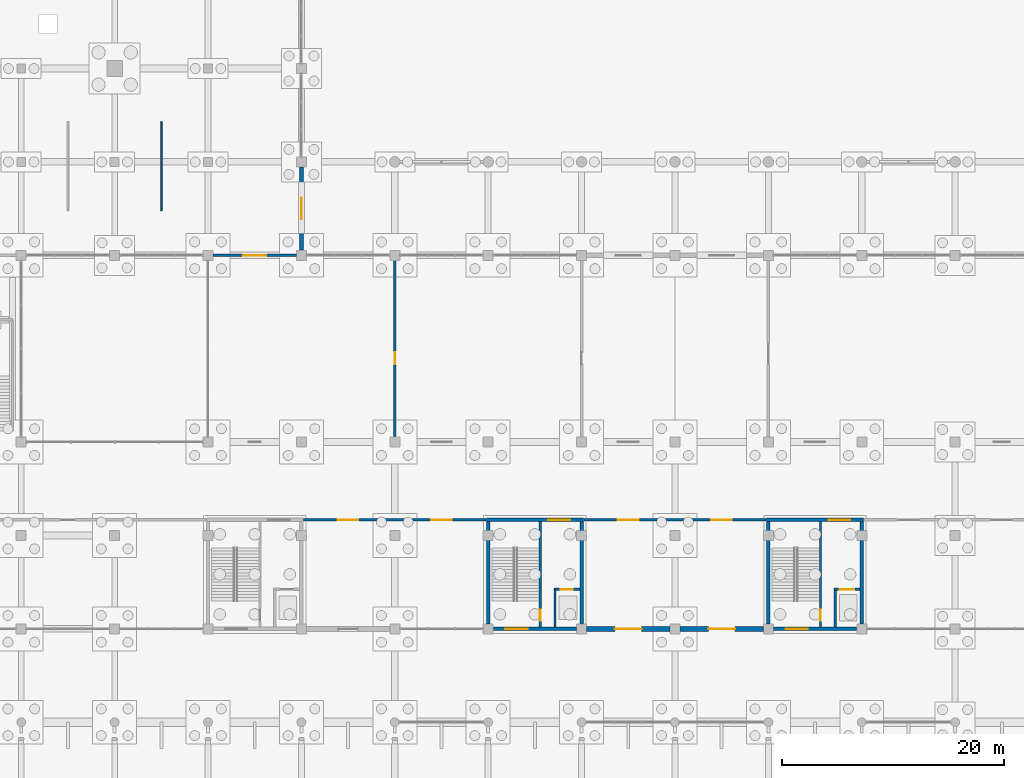
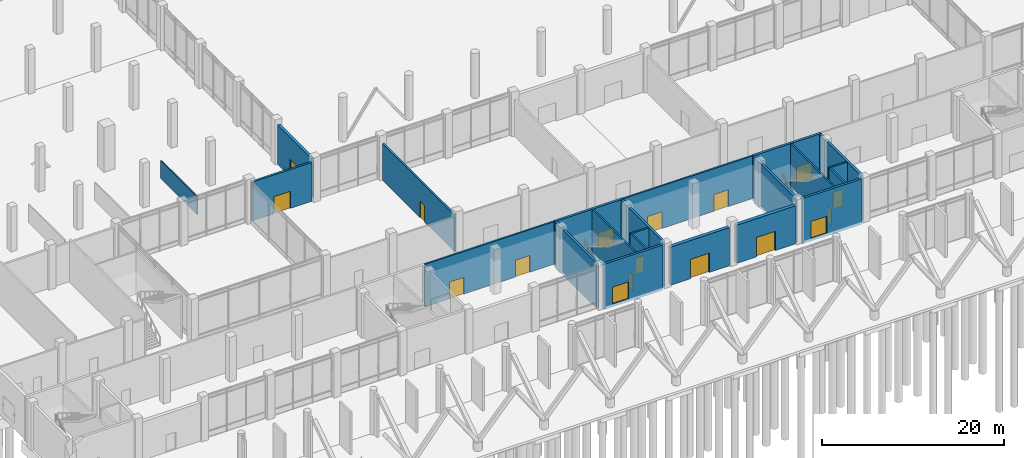
# One storey, part 53 of 72: 22 walls, 17 doors, 17 openings.
"""IFC4 building model written with IfcOpenShell, lengths in metres."""

import ifcopenshell
import ifcopenshell.guid

model = None  # the IFC model being written
_history = None  # IfcOwnerHistory: only IFC2X3 demands one
_inside = {}  # id of a spatial element -> (the spatial element, [elements in it])
_under = {}  # id of a project, library or spatial element -> (it, [spatial elements below it])
_declared = {}  # id of a project -> (the project, [libraries it declares])
_typed = {}  # id of a type object -> (the type object, [elements of that type])
_made_of = {}  # id of a material, layer set ... -> (it, [elements and type objects made of it])


def new_model(schema):
    """Start an empty IFC model of exactly this schema.

    Asked for "IFC4X3", IfcOpenShell would pick the latest addendum, in which some entities
    have other attributes; the version numbers below select the first issue.
    IFC2X3 requires an IfcOwnerHistory on every rooted entity: one is made here for all.
    """
    global model, _history
    if schema == "IFC4X3":
        model = ifcopenshell.file(schema_version=(4, 3, 0, 0))
    else:
        model = ifcopenshell.file(schema=schema)
    _inside.clear()
    _under.clear()
    _declared.clear()
    _typed.clear()
    _made_of.clear()
    _history = None
    if model.schema == "IFC2X3":
        org = make("IfcOrganization", Name="unknown")
        user = make(
            "IfcPersonAndOrganization",
            ThePerson=make("IfcPerson", FamilyName="unknown"),
            TheOrganization=org,
        )
        app = make(
            "IfcApplication",
            ApplicationDeveloper=org,
            Version="unknown",
            ApplicationFullName="unknown",
            ApplicationIdentifier="unknown",
        )
        _history = make(
            "IfcOwnerHistory",
            OwningUser=user,
            OwningApplication=app,
            ChangeAction="ADDED",
            CreationDate=0,
        )
    return model


def make(cls, **values):
    """One entity of the class cls with the attributes given. An attribute that is None is left unset."""
    return model.create_entity(
        cls, **{name: value for name, value in values.items() if value is not None}
    )


def rooted(cls, **values):
    """An entity with a GlobalId (a new one), such as an element, a storey or a relation."""
    return make(cls, GlobalId=ifcopenshell.guid.new(), OwnerHistory=_history, **values)


def si_unit(unit_type, name, prefix=None):
    """IfcSIUnit, for example si_unit("LENGTHUNIT", "METRE", prefix="MILLI")."""
    return make("IfcSIUnit", UnitType=unit_type, Prefix=prefix, Name=name)


def assignment(units):
    """IfcUnitAssignment: the units of a project."""
    return None if units is None else make("IfcUnitAssignment", Units=units)


def point(xyz):
    """IfcCartesianPoint."""
    return None if xyz is None else make("IfcCartesianPoint", Coordinates=xyz)


def direction(xyz):
    """IfcDirection."""
    return None if xyz is None else make("IfcDirection", DirectionRatios=xyz)


def frame(location, z_axis=None, x_axis=None):
    """IfcAxis2Placement3D, a coordinate frame: its origin and axes. An axis left out is left unset."""
    return make(
        "IfcAxis2Placement3D",
        Location=point(location),
        Axis=direction(z_axis),
        RefDirection=direction(x_axis),
    )


def frame_2d(location, x_axis=None):
    """IfcAxis2Placement2D, a coordinate frame in the plane: its origin and x axis."""
    return make(
        "IfcAxis2Placement2D", Location=point(location), RefDirection=direction(x_axis)
    )


def origin():
    """The frame at (0, 0, 0) with its axes left unset."""
    return frame((0.0, 0.0, 0.0))


def place(relative_to, where):
    """IfcLocalPlacement: puts the frame where relative to a parent placement (None: the world)."""
    return make(
        "IfcLocalPlacement", PlacementRelTo=relative_to, RelativePlacement=where
    )


def context(
    kind, dimensions, precision=None, world=None, true_north=None, identifier=None
):
    """IfcGeometricRepresentationContext, for example the 3D "Model" context."""
    return make(
        "IfcGeometricRepresentationContext",
        ContextIdentifier=identifier,
        ContextType=kind,
        CoordinateSpaceDimension=dimensions,
        Precision=precision,
        WorldCoordinateSystem=world,
        TrueNorth=true_north,
    )


def subcontext(parent, identifier, kind, view, scale=None):
    """IfcGeometricRepresentationSubContext, for example "Body" below "Model"."""
    return make(
        "IfcGeometricRepresentationSubContext",
        ContextIdentifier=identifier,
        ContextType=kind,
        ParentContext=parent,
        TargetScale=scale,
        TargetView=view,
    )


def project(units=None, contexts=None):
    """IfcProject with its units and contexts."""
    return rooted(
        "IfcProject",
        Name="project",
        RepresentationContexts=contexts,
        UnitsInContext=assignment(units),
    )


def spatial(cls, under=None, at=None, **own):
    """A site, building, storey or space (cls), placed at a placement, below another one or the project."""
    s = rooted(cls, ObjectPlacement=at, **own)
    if under is not None:
        _under.setdefault(under.id(), (under, []))[1].append(s)
    return s


def profile(cls, at=None, kind="AREA", **sizes):
    """A parametric profile (cls). Its sizes go by their IFC names, for example OverallWidth=200.0."""
    return make(cls, ProfileType=kind, Position=at, **sizes)


def rectangle(**sizes):
    """IfcRectangleProfileDef."""
    return profile("IfcRectangleProfileDef", **sizes)


def extrude(swept, where, along, depth):
    """IfcExtrudedAreaSolid: the profile swept, set in the frame where, extruded along a direction by depth."""
    return make(
        "IfcExtrudedAreaSolid",
        SweptArea=swept,
        Position=where,
        ExtrudedDirection=direction(along),
        Depth=depth,
    )


def shape(context_of_items, identifier, shape_type, items):
    """IfcShapeRepresentation: the items that make up one representation, for example the "Body"."""
    return make(
        "IfcShapeRepresentation",
        ContextOfItems=context_of_items,
        RepresentationIdentifier=identifier,
        RepresentationType=shape_type,
        Items=items,
    )


def material(Name=None, Category=None):
    """IfcMaterial."""
    return make("IfcMaterial", Name=Name, Category=Category)


def layer(
    of_material, thickness, ventilated=None, Name=None, Category=None, Priority=None
):
    """IfcMaterialLayer: one layer of a wall or slab, of a material (None: an air gap)."""
    return make(
        "IfcMaterialLayer",
        Material=of_material,
        LayerThickness=thickness,
        IsVentilated=ventilated,
        Name=Name,
        Category=Category,
        Priority=Priority,
    )


def layer_set(layers, Name=None):
    """IfcMaterialLayerSet."""
    return make("IfcMaterialLayerSet", MaterialLayers=layers, LayerSetName=Name)


def made_of(thing, what):
    """Note that an element or type object is made of a material, layer set ...; save() writes the relation."""
    if what is not None:
        _made_of.setdefault(what.id(), (what, []))[1].append(thing)
    return thing


def type_object(cls, material=None, **own):
    """A type object (cls), such as IfcWallType, which elements share."""
    return made_of(rooted(cls, **own), material)


def element(
    cls,
    number,
    at=None,
    inside=None,
    cuts=None,
    type_object=None,
    material=None,
    context=None,
    identifier="Body",
    shape_type=None,
    held_by="IfcProductDefinitionShape",
    body=None,
    shapes=None,
    **own,
):
    """One element of the class cls, such as IfcWall. Its Tag is "e" and its number.

    at: its placement. inside: the storey or other place that contains it. cuts: it is an
    opening in that element (IfcRelVoidsElement). A single representation is given by context,
    identifier, shape_type and body (its items); several are given by shapes. held_by: the class
    of the entity that holds the representations. save() writes the other relations.
    """
    e = rooted(cls, Tag="e%d" % number, ObjectPlacement=at, **own)
    if body is not None:
        shapes = [shape(context, identifier, shape_type, body)]
    if shapes is not None:
        e.Representation = make(held_by, Representations=shapes)
    if inside is not None:
        _inside.setdefault(inside.id(), (inside, []))[1].append(e)
    if cuts is not None:
        rooted(
            "IfcRelVoidsElement", RelatingBuildingElement=cuts, RelatedOpeningElement=e
        )
    if type_object is not None:
        _typed.setdefault(type_object.id(), (type_object, []))[1].append(e)
    return made_of(e, material)


def fill(opening, filler):
    """IfcRelFillsElement: the door or window that sits in an opening."""
    return rooted(
        "IfcRelFillsElement",
        RelatingOpeningElement=opening,
        RelatedBuildingElement=filler,
    )


def aggregate(whole, parts):
    """IfcRelAggregates: a whole, such as a stair, and the parts it consists of."""
    return rooted("IfcRelAggregates", RelatingObject=whole, RelatedObjects=parts)


def save(model, path):
    """Write the relations noted so far, then the file.

    IfcRelAggregates (storeys below a building ...), IfcRelContainedInSpatialStructure (elements
    in a storey), IfcRelDefinesByType, IfcRelAssociatesMaterial and IfcRelDeclares: one each for
    every whole, place, type object, material and project.
    """
    for whole, parts in _under.values():
        aggregate(whole, parts)
    for where, things in _inside.values():
        rooted(
            "IfcRelContainedInSpatialStructure",
            RelatedElements=things,
            RelatingStructure=where,
        )
    for kind, things in _typed.values():
        rooted("IfcRelDefinesByType", RelatedObjects=things, RelatingType=kind)
    for what, things in _made_of.values():
        rooted("IfcRelAssociatesMaterial", RelatedObjects=things, RelatingMaterial=what)
    for by, libraries in _declared.values():
        rooted("IfcRelDeclares", RelatingContext=by, RelatedDefinitions=libraries)
    model.write(path)


model = new_model("IFC4")

# Units and contexts
model_context = context("Model", 3, precision=1e-05, world=origin(), true_north=direction((0.0, 1.0)))
body_context = subcontext(model_context, "Body", "Model", "MODEL_VIEW")
ifc_project = project(units=[si_unit("LENGTHUNIT", "METRE"), si_unit("AREAUNIT", "SQUARE_METRE"), si_unit("VOLUMEUNIT", "CUBIC_METRE"), si_unit("PLANEANGLEUNIT", "RADIAN"), si_unit("MASSUNIT", "GRAM", prefix="KILO")], contexts=[model_context])

# Site, building, storey
site_placement = place(None, origin())
site = spatial("IfcSite", under=ifc_project, at=site_placement, CompositionType="ELEMENT")
building_placement = place(site_placement, origin())
building = spatial("IfcBuilding", under=site, at=building_placement, Name="Qawsi Khor Wholesale Market", CompositionType="ELEMENT")
storey_placement = place(building_placement, origin())
storey = spatial("IfcBuildingStorey", under=building, at=storey_placement, Name="L00", CompositionType="ELEMENT", Elevation=0.0)

# Wall, opening, door
ifc_material_1 = material(Name="Concrete C40/50", Category="concrete")
ifc_layer_1 = layer(ifc_material_1, 0.300048828125, Name="Concrete C40/50")
ifc_layer_set_1 = layer_set([ifc_layer_1], Name="Concrete C40/50")
wall_type_1 = type_object("IfcWallType", Name="Core Shear Wall RC 300 C40/50", PredefinedType="SHEAR", material=ifc_layer_set_1)
wall_1_placement = place(storey_placement, frame((100.344970703125, 8.39990234375, -0.360107421875), z_axis=(0.0, 0.0, 1.0), x_axis=(-1.0, 0.0, 0.0)))
wall_1 = element("IfcWall", 1, at=wall_1_placement, inside=storey, type_object=wall_type_1, Name="Core C03 south shear wall L00", PredefinedType="SHEAR", context=body_context, shape_type="SweptSolid", body=[
    extrude(rectangle(XDim=7.489990234375, YDim=0.300048828125, at=frame_2d((3.7451171875, 0.0))), origin(), (0.0, 0.0, 1.0), 6.080078125),
])
opening_1_placement = place(wall_1_placement, frame((4.39501953125, 0.0, 0.360107421875)))
opening_1 = element("IfcOpeningElement", 2, at=opening_1_placement, cuts=wall_1, Name="Opening ED-06", PredefinedType="OPENING", context=body_context, shape_type="SweptSolid", body=[
    extrude(rectangle(XDim=2.0, YDim=2.280029296875, at=frame_2d((1.0, 1.14013671875))), frame((0.0, 0.159912109375, 0.0), z_axis=(0.0, -1.0, 0.0), x_axis=(1.0, 0.0, 0.0)), (0.0, 0.0, 1.0), 0.320068359375),
])
ifc_material_2 = material(Name="Powder-Coated Galvanised Steel & Glazing", Category="steel")
door_type_1 = type_object("IfcDoorType", Name="Final Exit Stair Discharge Door 2000x2280 FD120S", OperationType="NOTDEFINED", PredefinedType="DOOR", material=ifc_material_2)
door_1_placement = place(opening_1_placement, origin())
door_1 = element("IfcDoor", 3, at=door_1_placement, inside=storey, type_object=door_type_1, Name="Final exit stair discharge door ST-03", OperationType="DOUBLE_DOOR_SINGLE_SWING", OverallHeight=2.280029296875, OverallWidth=2.0, PredefinedType="DOOR", context=body_context, shape_type="SweptSolid", body=[
    extrude(rectangle(XDim=2.0, YDim=2.280029296875, at=frame_2d((1.0, 1.14013671875))), frame((0.0, 0.02490234375, 0.0), z_axis=(0.0, -1.0, 0.0), x_axis=(1.0, 0.0, 0.0)), (0.0, 0.0, 1.0), 0.050048828125),
])
fill(opening_1, door_1)

# Wall
wall_2_placement = place(storey_placement, frame((92.39990234375, 8.85498046875, -0.360107421875), z_axis=(0.0, 0.0, 1.0), x_axis=(0.0, 1.0, 0.0)))
element("IfcWall", 4, at=wall_2_placement, inside=storey, type_object=wall_type_1, Name="Core C03 west shear wall L00", PredefinedType="SHEAR", context=body_context, shape_type="SweptSolid", body=[
    extrude(rectangle(XDim=9.195068359375, YDim=0.300048828125, at=frame_2d((4.59765625, 0.0))), origin(), (0.0, 0.0, 1.0), 6.080078125),
])

# Wall, opening, door
wall_3_placement = place(storey_placement, frame((92.25, 18.199951171875, -0.360107421875), z_axis=(0.0, 0.0, 1.0), x_axis=(1.0, 0.0, 0.0)))
wall_3 = element("IfcWall", 5, at=wall_3_placement, inside=storey, type_object=wall_type_1, Name="Core C03 north shear wall L00", PredefinedType="SHEAR", context=body_context, shape_type="SweptSolid", body=[
    extrude(rectangle(XDim=8.699951171875, YDim=0.300048828125, at=frame_2d((4.35009765625, 0.0))), origin(), (0.0, 0.0, 1.0), 6.080078125),
])
opening_2_placement = place(wall_3_placement, frame((5.570068359375, 0.0, 0.360107421875)))
opening_2 = element("IfcOpeningElement", 6, at=opening_2_placement, cuts=wall_3, Name="Opening ID-01", PredefinedType="OPENING", context=body_context, shape_type="SweptSolid", body=[
    extrude(rectangle(XDim=1.9599609375, YDim=2.199951171875, at=frame_2d((0.97998046875, 1.10009765625))), frame((0.0, 0.159912109375, 0.0), z_axis=(0.0, -1.0, 0.0), x_axis=(1.0, 0.0, 0.0)), (0.0, 0.0, 1.0), 0.320068359375),
])
ifc_material_3 = material(Name="Steel Fire Door", Category="steel")
door_type_2 = type_object("IfcDoorType", Name="Stair & Core Fire Door 1960x2200 FD90S", OperationType="NOTDEFINED", PredefinedType="DOOR", material=ifc_material_3)
door_2_placement = place(opening_2_placement, origin())
door_2 = element("IfcDoor", 7, at=door_2_placement, inside=storey, type_object=door_type_2, Name="Core C03 fire door L00", OperationType="DOUBLE_DOOR_SINGLE_SWING", OverallHeight=2.199951171875, OverallWidth=1.9599609375, PredefinedType="DOOR", context=body_context, shape_type="SweptSolid", body=[
    extrude(rectangle(XDim=1.9599609375, YDim=2.199951171875, at=frame_2d((0.97998046875, 1.10009765625))), frame((0.0, 0.02490234375, 0.0), z_axis=(0.0, -1.0, 0.0), x_axis=(1.0, 0.0, 0.0)), (0.0, 0.0, 1.0), 0.050048828125),
])
fill(opening_2, door_2)

# Wall
wall_4_placement = place(storey_placement, frame((100.800048828125, 18.050048828125, -0.360107421875), z_axis=(0.0, 0.0, 1.0), x_axis=(0.0, -1.0, 0.0)))
element("IfcWall", 8, at=wall_4_placement, inside=storey, type_object=wall_type_1, Name="Core C03 east shear wall L00", PredefinedType="SHEAR", context=body_context, shape_type="SweptSolid", body=[
    extrude(rectangle(XDim=9.195068359375, YDim=0.300048828125, at=frame_2d((4.59765625, 0.0))), origin(), (0.0, 0.0, 1.0), 6.080078125),
])

# Wall, opening, door
wall_5_placement = place(storey_placement, frame((125.544921875, 8.39990234375, -0.360107421875), z_axis=(0.0, 0.0, 1.0), x_axis=(-1.0, 0.0, 0.0)))
wall_5 = element("IfcWall", 9, at=wall_5_placement, inside=storey, type_object=wall_type_1, Name="Core C04 south shear wall L00", PredefinedType="SHEAR", context=body_context, shape_type="SweptSolid", body=[
    extrude(rectangle(XDim=7.489990234375, YDim=0.300048828125, at=frame_2d((3.7451171875, 0.0))), origin(), (0.0, 0.0, 1.0), 6.080078125),
])
opening_3_placement = place(wall_5_placement, frame((4.39501953125, 0.0, 0.360107421875)))
opening_3 = element("IfcOpeningElement", 10, at=opening_3_placement, cuts=wall_5, Name="Opening ED-06", PredefinedType="OPENING", context=body_context, shape_type="SweptSolid", body=[
    extrude(rectangle(XDim=2.0, YDim=2.280029296875, at=frame_2d((1.0, 1.14013671875))), frame((0.0, 0.159912109375, 0.0), z_axis=(0.0, -1.0, 0.0), x_axis=(1.0, 0.0, 0.0)), (0.0, 0.0, 1.0), 0.320068359375),
])
door_3_placement = place(opening_3_placement, origin())
door_3 = element("IfcDoor", 11, at=door_3_placement, inside=storey, type_object=door_type_1, Name="Final exit stair discharge door ST-04", OperationType="DOUBLE_DOOR_SINGLE_SWING", OverallHeight=2.280029296875, OverallWidth=2.0, PredefinedType="DOOR", context=body_context, shape_type="SweptSolid", body=[
    extrude(rectangle(XDim=2.0, YDim=2.280029296875, at=frame_2d((1.0, 1.14013671875))), frame((0.0, 0.02490234375, 0.0), z_axis=(0.0, -1.0, 0.0), x_axis=(1.0, 0.0, 0.0)), (0.0, 0.0, 1.0), 0.050048828125),
])
fill(opening_3, door_3)

# Wall
wall_6_placement = place(storey_placement, frame((117.60009765625, 8.85498046875, -0.360107421875), z_axis=(0.0, 0.0, 1.0), x_axis=(0.0, 1.0, 0.0)))
element("IfcWall", 12, at=wall_6_placement, inside=storey, type_object=wall_type_1, Name="Core C04 west shear wall L00", PredefinedType="SHEAR", context=body_context, shape_type="SweptSolid", body=[
    extrude(rectangle(XDim=9.195068359375, YDim=0.300048828125, at=frame_2d((4.59765625, 0.0))), origin(), (0.0, 0.0, 1.0), 6.080078125),
])

# Wall, opening, door
wall_7_placement = place(storey_placement, frame((117.449951171875, 18.199951171875, -0.360107421875), z_axis=(0.0, 0.0, 1.0), x_axis=(1.0, 0.0, 0.0)))
wall_7 = element("IfcWall", 13, at=wall_7_placement, inside=storey, type_object=wall_type_1, Name="Core C04 north shear wall L00", PredefinedType="SHEAR", context=body_context, shape_type="SweptSolid", body=[
    extrude(rectangle(XDim=8.699951171875, YDim=0.300048828125, at=frame_2d((4.35009765625, 0.0))), origin(), (0.0, 0.0, 1.0), 6.080078125),
])
opening_4_placement = place(wall_7_placement, frame((5.570068359375, 0.0, 0.360107421875)))
opening_4 = element("IfcOpeningElement", 14, at=opening_4_placement, cuts=wall_7, Name="Opening ID-01", PredefinedType="OPENING", context=body_context, shape_type="SweptSolid", body=[
    extrude(rectangle(XDim=1.9599609375, YDim=2.199951171875, at=frame_2d((0.97998046875, 1.10009765625))), frame((0.0, 0.159912109375, 0.0), z_axis=(0.0, -1.0, 0.0), x_axis=(1.0, 0.0, 0.0)), (0.0, 0.0, 1.0), 0.320068359375),
])
door_4_placement = place(opening_4_placement, origin())
door_4 = element("IfcDoor", 15, at=door_4_placement, inside=storey, type_object=door_type_2, Name="Core C04 fire door L00", OperationType="DOUBLE_DOOR_SINGLE_SWING", OverallHeight=2.199951171875, OverallWidth=1.9599609375, PredefinedType="DOOR", context=body_context, shape_type="SweptSolid", body=[
    extrude(rectangle(XDim=1.9599609375, YDim=2.199951171875, at=frame_2d((0.97998046875, 1.10009765625))), frame((0.0, 0.02490234375, 0.0), z_axis=(0.0, -1.0, 0.0), x_axis=(1.0, 0.0, 0.0)), (0.0, 0.0, 1.0), 0.050048828125),
])
fill(opening_4, door_4)

# Wall
wall_8_placement = place(storey_placement, frame((126.0, 18.050048828125, -0.360107421875), z_axis=(0.0, 0.0, 1.0), x_axis=(0.0, -1.0, 0.0)))
element("IfcWall", 16, at=wall_8_placement, inside=storey, type_object=wall_type_1, Name="Core C04 east shear wall L00", PredefinedType="SHEAR", context=body_context, shape_type="SweptSolid", body=[
    extrude(rectangle(XDim=9.195068359375, YDim=0.300048828125, at=frame_2d((4.59765625, 0.0))), origin(), (0.0, 0.0, 1.0), 6.080078125),
])

# Wall, openings, doors
ifc_material_4 = material(Name="Gypsum Fireboard on Steel Stud", Category="steel")
ifc_layer_2 = layer(ifc_material_4, 0.2099609375, Name="Gypsum Fireboard on Steel Stud")
ifc_layer_set_2 = layer_set([ifc_layer_2], Name="Gypsum Fireboard on Steel Stud")
wall_type_2 = type_object("IfcWallType", Name="Corridor Fire Partition Wall 210", PredefinedType="PARTITIONING", material=ifc_layer_set_2)
wall_9_placement = place(storey_placement, frame((75.800048828125, 18.199951171875, 0.0), z_axis=(0.0, 0.0, 1.0), x_axis=(1.0, 0.0, 0.0)))
wall_9 = element("IfcWall", 17, at=wall_9_placement, inside=storey, type_object=wall_type_2, Name="PW-L00-030", PredefinedType="PARTITIONING", context=body_context, shape_type="SweptSolid", body=[
    extrude(rectangle(XDim=16.39990234375, YDim=0.2099609375, at=frame_2d((8.199951171875, 0.0))), origin(), (0.0, 0.0, 1.0), 5.719970703125),
])
opening_5_placement = place(wall_9_placement, frame((3.074951171875, 0.0, 0.0)))
opening_5 = element("IfcOpeningElement", 18, at=opening_5_placement, cuts=wall_9, Name="Opening ID-09", PredefinedType="OPENING", context=body_context, shape_type="SweptSolid", body=[
    extrude(rectangle(XDim=1.85009765625, YDim=2.25, at=frame_2d((0.925048828125, 1.125))), frame((0.0, 0.114990234375, 0.0), z_axis=(0.0, -1.0, 0.0), x_axis=(1.0, 0.0, 0.0)), (0.0, 0.0, 1.0), 0.22998046875),
])
opening_6_placement = place(wall_9_placement, frame((11.47509765625, 0.0, 0.0)))
opening_6 = element("IfcOpeningElement", 19, at=opening_6_placement, cuts=wall_9, Name="Opening ID-09", PredefinedType="OPENING", context=body_context, shape_type="SweptSolid", body=[
    extrude(rectangle(XDim=1.85009765625, YDim=2.25, at=frame_2d((0.925048828125, 1.125))), frame((0.0, 0.114990234375, 0.0), z_axis=(0.0, -1.0, 0.0), x_axis=(1.0, 0.0, 0.0)), (0.0, 0.0, 1.0), 0.22998046875),
])
ifc_material_5 = material(Name="Glazed Hardwood", Category="wood")
door_type_3 = type_object("IfcDoorType", Name="Canteen Dining Double Door 1850x2250 FD60S", OperationType="NOTDEFINED", PredefinedType="DOOR", material=ifc_material_5)
door_5_placement = place(opening_5_placement, origin())
door_5 = element("IfcDoor", 20, at=door_5_placement, inside=storey, type_object=door_type_3, Name="Canteen Dining Double Door 1850x2250 FD60S L00-026", OperationType="DOUBLE_DOOR_SINGLE_SWING", OverallHeight=2.25, OverallWidth=1.85009765625, PredefinedType="DOOR", context=body_context, shape_type="SweptSolid", body=[
    extrude(rectangle(XDim=1.85009765625, YDim=2.25, at=frame_2d((0.925048828125, 1.125))), frame((0.0, 0.02490234375, 0.0), z_axis=(0.0, -1.0, 0.0), x_axis=(1.0, 0.0, 0.0)), (0.0, 0.0, 1.0), 0.050048828125),
])
fill(opening_5, door_5)
door_6_placement = place(opening_6_placement, origin())
door_6 = element("IfcDoor", 21, at=door_6_placement, inside=storey, type_object=door_type_3, Name="Canteen Dining Double Door 1850x2250 FD60S L00-027", OperationType="DOUBLE_DOOR_SINGLE_SWING", OverallHeight=2.25, OverallWidth=1.85009765625, PredefinedType="DOOR", context=body_context, shape_type="SweptSolid", body=[
    extrude(rectangle(XDim=1.85009765625, YDim=2.25, at=frame_2d((0.925048828125, 1.125))), frame((0.0, 0.02490234375, 0.0), z_axis=(0.0, -1.0, 0.0), x_axis=(1.0, 0.0, 0.0)), (0.0, 0.0, 1.0), 0.050048828125),
])
fill(opening_6, door_6)

wall_10_placement = place(storey_placement, frame((101.0, 18.199951171875, 0.0), z_axis=(0.0, 0.0, 1.0), x_axis=(1.0, 0.0, 0.0)))
wall_10 = element("IfcWall", 22, at=wall_10_placement, inside=storey, type_object=wall_type_2, Name="PW-L00-031", PredefinedType="PARTITIONING", context=body_context, shape_type="SweptSolid", body=[
    extrude(rectangle(XDim=16.39990234375, YDim=0.2099609375, at=frame_2d((8.199951171875, 0.0))), origin(), (0.0, 0.0, 1.0), 5.719970703125),
])
opening_7_placement = place(wall_10_placement, frame((3.074951171875, 0.0, 0.0)))
opening_7 = element("IfcOpeningElement", 23, at=opening_7_placement, cuts=wall_10, Name="Opening ID-09", PredefinedType="OPENING", context=body_context, shape_type="SweptSolid", body=[
    extrude(rectangle(XDim=1.85009765625, YDim=2.25, at=frame_2d((0.925048828125, 1.125))), frame((0.0, 0.114990234375, 0.0), z_axis=(0.0, -1.0, 0.0), x_axis=(1.0, 0.0, 0.0)), (0.0, 0.0, 1.0), 0.22998046875),
])
opening_8_placement = place(wall_10_placement, frame((11.47509765625, 0.0, 0.0)))
opening_8 = element("IfcOpeningElement", 24, at=opening_8_placement, cuts=wall_10, Name="Opening ID-09", PredefinedType="OPENING", context=body_context, shape_type="SweptSolid", body=[
    extrude(rectangle(XDim=1.85009765625, YDim=2.25, at=frame_2d((0.925048828125, 1.125))), frame((0.0, 0.114990234375, 0.0), z_axis=(0.0, -1.0, 0.0), x_axis=(1.0, 0.0, 0.0)), (0.0, 0.0, 1.0), 0.22998046875),
])
door_7_placement = place(opening_7_placement, origin())
door_7 = element("IfcDoor", 25, at=door_7_placement, inside=storey, type_object=door_type_3, Name="Canteen Dining Double Door 1850x2250 FD60S L00-028", OperationType="DOUBLE_DOOR_SINGLE_SWING", OverallHeight=2.25, OverallWidth=1.85009765625, PredefinedType="DOOR", context=body_context, shape_type="SweptSolid", body=[
    extrude(rectangle(XDim=1.85009765625, YDim=2.25, at=frame_2d((0.925048828125, 1.125))), frame((0.0, 0.02490234375, 0.0), z_axis=(0.0, -1.0, 0.0), x_axis=(1.0, 0.0, 0.0)), (0.0, 0.0, 1.0), 0.050048828125),
])
fill(opening_7, door_7)
door_8_placement = place(opening_8_placement, origin())
door_8 = element("IfcDoor", 26, at=door_8_placement, inside=storey, type_object=door_type_3, Name="Canteen Dining Double Door 1850x2250 FD60S L00-029", OperationType="DOUBLE_DOOR_SINGLE_SWING", OverallHeight=2.25, OverallWidth=1.85009765625, PredefinedType="DOOR", context=body_context, shape_type="SweptSolid", body=[
    extrude(rectangle(XDim=1.85009765625, YDim=2.25, at=frame_2d((0.925048828125, 1.125))), frame((0.0, 0.02490234375, 0.0), z_axis=(0.0, -1.0, 0.0), x_axis=(1.0, 0.0, 0.0)), (0.0, 0.0, 1.0), 0.050048828125),
])
fill(opening_8, door_8)

# Wall, opening, door
wall_11_placement = place(storey_placement, frame((84.0, 25.699951171875, 0.0), z_axis=(0.0, 0.0, 1.0), x_axis=(0.0, 1.0, 0.0)))
wall_11 = element("IfcWall", 27, at=wall_11_placement, inside=storey, type_object=wall_type_2, Name="PW-L00-039", PredefinedType="PARTITIONING", context=body_context, shape_type="SweptSolid", body=[
    extrude(rectangle(XDim=15.800048828125, YDim=0.2099609375, at=frame_2d((7.89990234375, 0.0))), origin(), (0.0, 0.0, 1.0), 4.929931640625),
])
opening_9_placement = place(wall_11_placement, frame((6.5, 0.0, 0.0)))
opening_9 = element("IfcOpeningElement", 28, at=opening_9_placement, cuts=wall_11, Name="Opening ID-07", PredefinedType="OPENING", context=body_context, shape_type="SweptSolid", body=[
    extrude(rectangle(XDim=1.06005859375, YDim=2.179931640625, at=frame_2d((0.530029296875, 1.08984375))), frame((0.0, 0.114990234375, 0.0), z_axis=(0.0, -1.0, 0.0), x_axis=(1.0, 0.0, 0.0)), (0.0, 0.0, 1.0), 0.22998046875),
])
ifc_material_6 = material(Name="Hardwood Timber Veneer", Category="wood")
door_type_4 = type_object("IfcDoorType", Name="Clearinghouse Suite Door 1060x2180", OperationType="NOTDEFINED", PredefinedType="DOOR", material=ifc_material_6)
door_9_placement = place(opening_9_placement, origin())
door_9 = element("IfcDoor", 29, at=door_9_placement, inside=storey, type_object=door_type_4, Name="Clearinghouse Suite Door 1060x2180 L00-045", OperationType="SINGLE_SWING_LEFT", OverallHeight=2.179931640625, OverallWidth=1.06005859375, PredefinedType="DOOR", context=body_context, shape_type="SweptSolid", body=[
    extrude(rectangle(XDim=1.06005859375, YDim=2.179931640625, at=frame_2d((0.530029296875, 1.08984375))), frame((0.0, 0.02490234375, 0.0), z_axis=(0.0, -1.0, 0.0), x_axis=(1.0, 0.0, 0.0)), (0.0, 0.0, 1.0), 0.050048828125),
])
fill(opening_9, door_9)

ifc_material_7 = material(Name="Concrete Blockwork & Plaster", Category="masonry")
ifc_layer_3 = layer(ifc_material_7, 0.25, Name="Concrete Blockwork & Plaster")
ifc_layer_set_3 = layer_set([ifc_layer_3], Name="Concrete Blockwork & Plaster")
wall_type_3 = type_object("IfcWallType", Name="Fire Compartment Masonry Wall 250", PredefinedType="SOLIDWALL", material=ifc_layer_set_3)
wall_12_placement = place(storey_placement, frame((67.64990234375, 42.0, 0.0), z_axis=(0.0, 0.0, 1.0), x_axis=(1.0, 0.0, 0.0)))
wall_12 = element("IfcWall", 30, at=wall_12_placement, inside=storey, type_object=wall_type_3, Name="Grid F fire compartment wall L00-08", PredefinedType="SOLIDWALL", context=body_context, shape_type="SweptSolid", body=[
    extrude(rectangle(XDim=7.5, YDim=0.25, at=frame_2d((3.75, 0.0))), origin(), (0.0, 0.0, 1.0), 5.219970703125),
])
opening_10_placement = place(wall_12_placement, frame((2.699951171875, 0.0, 0.0)))
opening_10 = element("IfcOpeningElement", 31, at=opening_10_placement, cuts=wall_12, Name="Opening ID-03", PredefinedType="OPENING", context=body_context, shape_type="SweptSolid", body=[
    extrude(rectangle(XDim=2.10009765625, YDim=2.300048828125, at=frame_2d((1.050048828125, 1.14990234375))), frame((0.0, 0.135009765625, 0.0), z_axis=(0.0, -1.0, 0.0), x_axis=(1.0, 0.0, 0.0)), (0.0, 0.0, 1.0), 0.27001953125),
])
ifc_material_8 = material(Name="Glazed Steel Fire Door", Category="steel")
door_type_5 = type_object("IfcDoorType", Name="Hall Concourse Double Door 2100x2300 FD60S", OperationType="NOTDEFINED", PredefinedType="DOOR", material=ifc_material_8)
door_10_placement = place(opening_10_placement, origin())
door_10 = element("IfcDoor", 32, at=door_10_placement, inside=storey, type_object=door_type_5, Name="Hall concourse compartment door L00-08", OperationType="DOUBLE_DOOR_SINGLE_SWING", OverallHeight=2.300048828125, OverallWidth=2.10009765625, PredefinedType="DOOR", context=body_context, shape_type="SweptSolid", body=[
    extrude(rectangle(XDim=2.10009765625, YDim=2.300048828125, at=frame_2d((1.050048828125, 1.14990234375))), frame((0.0, 0.02490234375, 0.0), z_axis=(0.0, -1.0, 0.0), x_axis=(1.0, 0.0, 0.0)), (0.0, 0.0, 1.0), 0.050048828125),
])
fill(opening_10, door_10)

# Wall
ifc_layer_4 = layer(ifc_material_1, 0.219970703125, Name="Concrete C40/50")
ifc_layer_set_4 = layer_set([ifc_layer_4], Name="Concrete C40/50")
wall_type_4 = type_object("IfcWallType", Name="Lift & Stair Shaft Wall RC 220", PredefinedType="SOLIDWALL", material=ifc_layer_set_4)
wall_13_placement = place(storey_placement, frame((98.409912109375, 8.56005859375, 0.0), z_axis=(0.0, 0.0, 1.0), x_axis=(0.0, 1.0, 0.0)))
element("IfcWall", 33, at=wall_13_placement, inside=storey, type_object=wall_type_4, Name="Lift PL-02 shaft wall W L00", PredefinedType="SOLIDWALL", context=body_context, shape_type="SweptSolid", body=[
    extrude(rectangle(XDim=3.389892578125, YDim=0.219970703125, at=frame_2d((1.69482421875, 0.0))), origin(), (0.0, 0.0, 1.0), 5.719970703125),
])

# Wall, opening, door
wall_14_placement = place(storey_placement, frame((98.300048828125, 11.949951171875, 0.0), z_axis=(0.0, 0.0, 1.0), x_axis=(1.0, 0.0, 0.0)))
wall_14 = element("IfcWall", 34, at=wall_14_placement, inside=storey, type_object=wall_type_4, Name="Lift PL-02 shaft wall N L00", PredefinedType="SOLIDWALL", context=body_context, shape_type="SweptSolid", body=[
    extrude(rectangle(XDim=2.33984375, YDim=0.219970703125, at=frame_2d((1.169921875, 0.0))), origin(), (0.0, 0.0, 1.0), 5.719970703125),
])
opening_11_placement = place(wall_14_placement, frame((0.6201171875, 0.0, 0.0)))
opening_11 = element("IfcOpeningElement", 35, at=opening_11_placement, cuts=wall_14, Name="Opening LD-P110", PredefinedType="OPENING", context=body_context, shape_type="SweptSolid", body=[
    extrude(rectangle(XDim=1.10009765625, YDim=2.199951171875, at=frame_2d((0.550048828125, 1.10009765625))), frame((0.0, 0.119873046875, 0.0), z_axis=(0.0, -1.0, 0.0), x_axis=(1.0, 0.0, 0.0)), (0.0, 0.0, 1.0), 0.239990234375),
])
ifc_material_9 = material(Name="Brushed Stainless Steel", Category="steel")
door_type_6 = type_object("IfcDoorType", Name="Passenger Lift Landing Sliding Door 1100x2200 FD90S", OperationType="NOTDEFINED", PredefinedType="DOOR", material=ifc_material_9)
door_11_placement = place(opening_11_placement, origin())
door_11 = element("IfcDoor", 36, at=door_11_placement, inside=storey, type_object=door_type_6, Name="Lift PL-02 landing door L00", OperationType="SLIDING_TO_LEFT", OverallHeight=2.199951171875, OverallWidth=1.10009765625, PredefinedType="DOOR", context=body_context, shape_type="SweptSolid", body=[
    extrude(rectangle(XDim=1.10009765625, YDim=2.199951171875, at=frame_2d((0.550048828125, 1.10009765625))), frame((0.0, 0.02490234375, 0.0), z_axis=(0.0, -1.0, 0.0), x_axis=(1.0, 0.0, 0.0)), (0.0, 0.0, 1.0), 0.050048828125),
])
fill(opening_11, door_11)

# Wall
wall_15_placement = place(storey_placement, frame((123.610107421875, 8.56005859375, 0.0), z_axis=(0.0, 0.0, 1.0), x_axis=(0.0, 1.0, 0.0)))
element("IfcWall", 37, at=wall_15_placement, inside=storey, type_object=wall_type_4, Name="Lift FF-02 shaft wall W L00", PredefinedType="SOLIDWALL", context=body_context, shape_type="SweptSolid", body=[
    extrude(rectangle(XDim=3.389892578125, YDim=0.219970703125, at=frame_2d((1.69482421875, 0.0))), origin(), (0.0, 0.0, 1.0), 5.719970703125),
])

# Wall, opening, door
wall_16_placement = place(storey_placement, frame((123.5, 11.949951171875, 0.0), z_axis=(0.0, 0.0, 1.0), x_axis=(1.0, 0.0, 0.0)))
wall_16 = element("IfcWall", 38, at=wall_16_placement, inside=storey, type_object=wall_type_4, Name="Lift FF-02 shaft wall N L00", PredefinedType="SOLIDWALL", context=body_context, shape_type="SweptSolid", body=[
    extrude(rectangle(XDim=2.340087890625, YDim=0.219970703125, at=frame_2d((1.169921875, 0.0))), origin(), (0.0, 0.0, 1.0), 5.719970703125),
])
opening_12_placement = place(wall_16_placement, frame((0.530029296875, 0.0, 0.0)))
opening_12 = element("IfcOpeningElement", 39, at=opening_12_placement, cuts=wall_16, Name="Opening LD-FF130", PredefinedType="OPENING", context=body_context, shape_type="SweptSolid", body=[
    extrude(rectangle(XDim=1.280029296875, YDim=2.25, at=frame_2d((0.64013671875, 1.125))), frame((0.0, 0.119873046875, 0.0), z_axis=(0.0, -1.0, 0.0), x_axis=(1.0, 0.0, 0.0)), (0.0, 0.0, 1.0), 0.239990234375),
])
door_type_7 = type_object("IfcDoorType", Name="Firefighting Lift Landing Sliding Door 1280x2250 FD90S", OperationType="NOTDEFINED", PredefinedType="DOOR", material=ifc_material_9)
door_12_placement = place(opening_12_placement, origin())
door_12 = element("IfcDoor", 40, at=door_12_placement, inside=storey, type_object=door_type_7, Name="Lift FF-02 landing door L00", OperationType="SLIDING_TO_LEFT", OverallHeight=2.25, OverallWidth=1.280029296875, PredefinedType="DOOR", context=body_context, shape_type="SweptSolid", body=[
    extrude(rectangle(XDim=1.280029296875, YDim=2.25, at=frame_2d((0.64013671875, 1.125))), frame((0.0, 0.02490234375, 0.0), z_axis=(0.0, -1.0, 0.0), x_axis=(1.0, 0.0, 0.0)), (0.0, 0.0, 1.0), 0.050048828125),
])
fill(opening_12, door_12)

# Wall
ifc_material_10 = material(Name="Precast Terrazzo Concrete C40/50", Category="concrete")
ifc_layer_5 = layer(ifc_material_10, 0.135009765625, Name="Precast Terrazzo Concrete C40/50")
ifc_layer_set_5 = layer_set([ifc_layer_5], Name="Precast Terrazzo Concrete C40/50")
wall_type_5 = type_object("IfcWallType", Name="Market Stall Low Divider Wall 135", PredefinedType="PARTITIONING", material=ifc_layer_set_5)
wall_17_placement = place(storey_placement, frame((63.0, 46.0, 0.0), z_axis=(0.0, 0.0, 1.0), x_axis=(0.0, 1.0, 0.0)))
element("IfcWall", 41, at=wall_17_placement, inside=storey, type_object=wall_type_5, Name="PW-L00-021", PredefinedType="PARTITIONING", context=body_context, shape_type="SweptSolid", body=[
    extrude(rectangle(XDim=8.0, YDim=0.135009765625, at=frame_2d((4.0, 0.0))), origin(), (0.0, 0.0, 1.0), 2.39990234375),
])

# Wall, opening, door
ifc_layer_6 = layer(ifc_material_1, 0.429931640625, Name="Concrete C40/50")
ifc_layer_set_6 = layer_set([ifc_layer_6], Name="Concrete C40/50")
wall_type_6 = type_object("IfcWallType", Name="Sculpted Ribbed Concrete Facade Wall 430", PredefinedType="SOLIDWALL", material=ifc_layer_set_6)
wall_18_placement = place(storey_placement, frame((108.7451171875, 8.39990234375, 0.0), z_axis=(0.0, 0.0, 1.0), x_axis=(-1.0, 0.0, 0.0)))
wall_18 = element("IfcWall", 42, at=wall_18_placement, inside=storey, type_object=wall_type_6, Name="EW-L00-ENTR-W", PredefinedType="SOLIDWALL", context=body_context, shape_type="SweptSolid", body=[
    extrude(rectangle(XDim=7.490234375, YDim=0.429931640625, at=frame_2d((3.7451171875, 0.0))), origin(), (0.0, 0.0, 1.0), 5.1298828125),
])
opening_13_placement = place(wall_18_placement, frame((2.544921875, 0.0, 0.0)))
opening_13 = element("IfcOpeningElement", 43, at=opening_13_placement, cuts=wall_18, Name="Opening ED-01", PredefinedType="OPENING", context=body_context, shape_type="SweptSolid", body=[
    extrude(rectangle(XDim=2.39990234375, YDim=2.60009765625, at=frame_2d((1.199951171875, 1.300048828125))), frame((0.0, 0.224853515625, 0.0), z_axis=(0.0, -1.0, 0.0), x_axis=(1.0, 0.0, 0.0)), (0.0, 0.0, 1.0), 0.449951171875),
])
door_type_8 = type_object("IfcDoorType", Name="Main Boulevard Entrance Double Door 2400x2600", OperationType="NOTDEFINED", PredefinedType="DOOR", material=ifc_material_2)
door_13_placement = place(opening_13_placement, origin())
door_13 = element("IfcDoor", 44, at=door_13_placement, inside=storey, type_object=door_type_8, Name="Boulevard Main Entrance Door West", OperationType="DOUBLE_DOOR_SINGLE_SWING", OverallHeight=2.60009765625, OverallWidth=2.39990234375, PredefinedType="DOOR", context=body_context, shape_type="SweptSolid", body=[
    extrude(rectangle(XDim=2.39990234375, YDim=2.60009765625, at=frame_2d((1.199951171875, 1.300048828125))), frame((0.0, 0.02490234375, 0.0), z_axis=(0.0, -1.0, 0.0), x_axis=(1.0, 0.0, 0.0)), (0.0, 0.0, 1.0), 0.050048828125),
])
fill(opening_13, door_13)

wall_19_placement = place(storey_placement, frame((117.14501953125, 8.39990234375, 0.0), z_axis=(0.0, 0.0, 1.0), x_axis=(-1.0, 0.0, 0.0)))
wall_19 = element("IfcWall", 45, at=wall_19_placement, inside=storey, type_object=wall_type_6, Name="EW-L00-ENTR-E", PredefinedType="SOLIDWALL", context=body_context, shape_type="SweptSolid", body=[
    extrude(rectangle(XDim=7.489990234375, YDim=0.429931640625, at=frame_2d((3.7451171875, 0.0))), origin(), (0.0, 0.0, 1.0), 5.1298828125),
])
opening_14_placement = place(wall_19_placement, frame((2.544921875, 0.0, 0.0)))
opening_14 = element("IfcOpeningElement", 46, at=opening_14_placement, cuts=wall_19, Name="Opening ED-01", PredefinedType="OPENING", context=body_context, shape_type="SweptSolid", body=[
    extrude(rectangle(XDim=2.39990234375, YDim=2.60009765625, at=frame_2d((1.199951171875, 1.300048828125))), frame((0.0, 0.224853515625, 0.0), z_axis=(0.0, -1.0, 0.0), x_axis=(1.0, 0.0, 0.0)), (0.0, 0.0, 1.0), 0.449951171875),
])
door_14_placement = place(opening_14_placement, origin())
door_14 = element("IfcDoor", 47, at=door_14_placement, inside=storey, type_object=door_type_8, Name="Boulevard Main Entrance Door East", OperationType="DOUBLE_DOOR_SINGLE_SWING", OverallHeight=2.60009765625, OverallWidth=2.39990234375, PredefinedType="DOOR", context=body_context, shape_type="SweptSolid", body=[
    extrude(rectangle(XDim=2.39990234375, YDim=2.60009765625, at=frame_2d((1.199951171875, 1.300048828125))), frame((0.0, 0.02490234375, 0.0), z_axis=(0.0, -1.0, 0.0), x_axis=(1.0, 0.0, 0.0)), (0.0, 0.0, 1.0), 0.050048828125),
])
fill(opening_14, door_14)

ifc_layer_7 = layer(ifc_material_1, 0.18994140625, Name="Concrete C40/50")
ifc_layer_set_7 = layer_set([ifc_layer_7], Name="Concrete C40/50")
wall_type_7 = type_object("IfcWallType", Name="Stairwell Enclosure Wall RC 190", PredefinedType="SOLIDWALL", material=ifc_layer_set_7)
wall_20_placement = place(storey_placement, frame((97.080078125, 8.56005859375, -0.360107421875), z_axis=(0.0, 0.0, 1.0), x_axis=(0.0, 1.0, 0.0)))
wall_20 = element("IfcWall", 48, at=wall_20_placement, inside=storey, type_object=wall_type_7, Name="Core C03 stairwell enclosure wall L00", PredefinedType="SOLIDWALL", context=body_context, shape_type="SweptSolid", body=[
    extrude(rectangle(XDim=9.47998046875, YDim=0.18994140625, at=frame_2d((4.739990234375, 0.0))), origin(), (0.0, 0.0, 1.0), 6.080078125),
])
opening_15_placement = place(wall_20_placement, frame((0.580078125, 0.0, 0.360107421875)))
opening_15 = element("IfcOpeningElement", 49, at=opening_15_placement, cuts=wall_20, Name="Opening ID-17", PredefinedType="OPENING", context=body_context, shape_type="SweptSolid", body=[
    extrude(rectangle(XDim=0.97998046875, YDim=2.14990234375, at=frame_2d((0.489990234375, 1.074951171875))), frame((0.0, 0.10498046875, 0.0), z_axis=(0.0, -1.0, 0.0), x_axis=(1.0, 0.0, 0.0)), (0.0, 0.0, 1.0), 0.2099609375),
])
door_type_9 = type_object("IfcDoorType", Name="Core Stair Lobby Fire Door 980x2150 FD120S", OperationType="NOTDEFINED", PredefinedType="DOOR", material=ifc_material_3)
door_15_placement = place(opening_15_placement, origin())
door_15 = element("IfcDoor", 50, at=door_15_placement, inside=storey, type_object=door_type_9, Name="Core C03 stair enclosure fire door L00", OperationType="SINGLE_SWING_LEFT", OverallHeight=2.14990234375, OverallWidth=0.97998046875, PredefinedType="DOOR", context=body_context, shape_type="SweptSolid", body=[
    extrude(rectangle(XDim=0.97998046875, YDim=2.14990234375, at=frame_2d((0.489990234375, 1.074951171875))), frame((0.0, 0.02490234375, 0.0), z_axis=(0.0, -1.0, 0.0), x_axis=(1.0, 0.0, 0.0)), (0.0, 0.0, 1.0), 0.050048828125),
])
fill(opening_15, door_15)

wall_21_placement = place(storey_placement, frame((122.280029296875, 8.56005859375, -0.360107421875), z_axis=(0.0, 0.0, 1.0), x_axis=(0.0, 1.0, 0.0)))
wall_21 = element("IfcWall", 51, at=wall_21_placement, inside=storey, type_object=wall_type_7, Name="Core C04 stairwell enclosure wall L00", PredefinedType="SOLIDWALL", context=body_context, shape_type="SweptSolid", body=[
    extrude(rectangle(XDim=9.47998046875, YDim=0.18994140625, at=frame_2d((4.739990234375, 0.0))), origin(), (0.0, 0.0, 1.0), 6.080078125),
])
opening_16_placement = place(wall_21_placement, frame((0.580078125, 0.0, 0.360107421875)))
opening_16 = element("IfcOpeningElement", 52, at=opening_16_placement, cuts=wall_21, Name="Opening ID-17", PredefinedType="OPENING", context=body_context, shape_type="SweptSolid", body=[
    extrude(rectangle(XDim=0.97998046875, YDim=2.14990234375, at=frame_2d((0.489990234375, 1.074951171875))), frame((0.0, 0.10498046875, 0.0), z_axis=(0.0, -1.0, 0.0), x_axis=(1.0, 0.0, 0.0)), (0.0, 0.0, 1.0), 0.2099609375),
])
door_16_placement = place(opening_16_placement, origin())
door_16 = element("IfcDoor", 53, at=door_16_placement, inside=storey, type_object=door_type_9, Name="Core C04 stair enclosure fire door L00", OperationType="SINGLE_SWING_LEFT", OverallHeight=2.14990234375, OverallWidth=0.97998046875, PredefinedType="DOOR", context=body_context, shape_type="SweptSolid", body=[
    extrude(rectangle(XDim=0.97998046875, YDim=2.14990234375, at=frame_2d((0.489990234375, 1.074951171875))), frame((0.0, 0.02490234375, 0.0), z_axis=(0.0, -1.0, 0.0), x_axis=(1.0, 0.0, 0.0)), (0.0, 0.0, 1.0), 0.050048828125),
])
fill(opening_16, door_16)

ifc_layer_8 = layer(ifc_material_1, 0.35009765625, Name="Concrete C40/50")
ifc_layer_set_8 = layer_set([ifc_layer_8], Name="Concrete C40/50")
wall_type_8 = type_object("IfcWallType", Name="Trading Hall Precast Concrete Wall 350", PredefinedType="SOLIDWALL", material=ifc_layer_set_8)
wall_22_placement = place(storey_placement, frame((75.60009765625, 49.945068359375, 0.0), z_axis=(0.0, 0.0, 1.0), x_axis=(0.0, -1.0, 0.0)))
wall_22 = element("IfcWall", 54, at=wall_22_placement, inside=storey, type_object=wall_type_8, Name="EW-L00-WHE-05", PredefinedType="SOLIDWALL", context=body_context, shape_type="SweptSolid", body=[
    extrude(rectangle(XDim=7.489990234375, YDim=0.35009765625, at=frame_2d((3.7451171875, 0.0))), origin(), (0.0, 0.0, 1.0), 5.280029296875),
])
opening_17_placement = place(wall_22_placement, frame((2.784912109375, 0.0, 0.0)))
opening_17 = element("IfcOpeningElement", 55, at=opening_17_placement, cuts=wall_22, Name="Opening ED-07", PredefinedType="OPENING", context=body_context, shape_type="SweptSolid", body=[
    extrude(rectangle(XDim=1.919921875, YDim=2.320068359375, at=frame_2d((0.9599609375, 1.16015625))), frame((0.0, 0.18505859375, 0.0), z_axis=(0.0, -1.0, 0.0), x_axis=(1.0, 0.0, 0.0)), (0.0, 0.0, 1.0), 0.3701171875),
])
door_type_10 = type_object("IfcDoorType", Name="Hall Ground Personnel Exit Door 1920x2320 FD60S", OperationType="NOTDEFINED", PredefinedType="DOOR", material=ifc_material_2)
door_17_placement = place(opening_17_placement, origin())
door_17 = element("IfcDoor", 56, at=door_17_placement, inside=storey, type_object=door_type_10, Name="West Hall Court Exit", OperationType="DOUBLE_DOOR_SINGLE_SWING", OverallHeight=2.320068359375, OverallWidth=1.919921875, PredefinedType="DOOR", context=body_context, shape_type="SweptSolid", body=[
    extrude(rectangle(XDim=1.919921875, YDim=2.320068359375, at=frame_2d((0.9599609375, 1.16015625))), frame((0.0, 0.02490234375, 0.0), z_axis=(0.0, -1.0, 0.0), x_axis=(1.0, 0.0, 0.0)), (0.0, 0.0, 1.0), 0.050048828125),
])
fill(opening_17, door_17)

save(model, "model.ifc")
